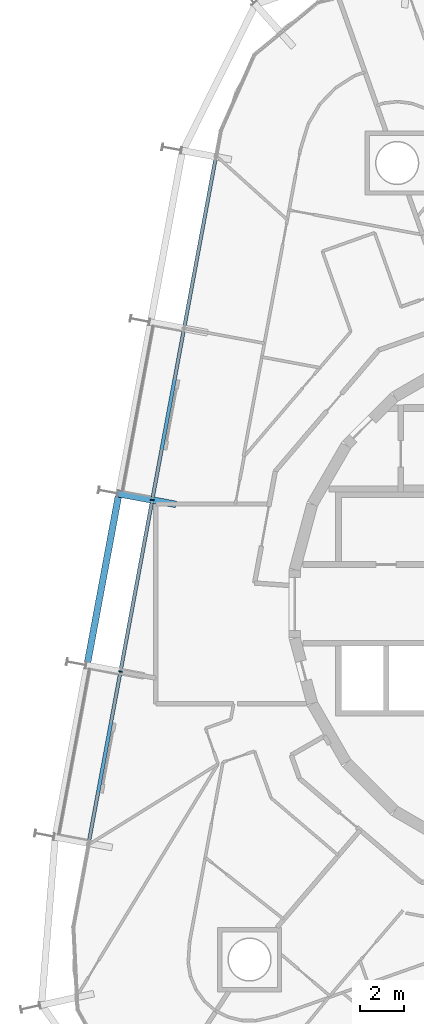
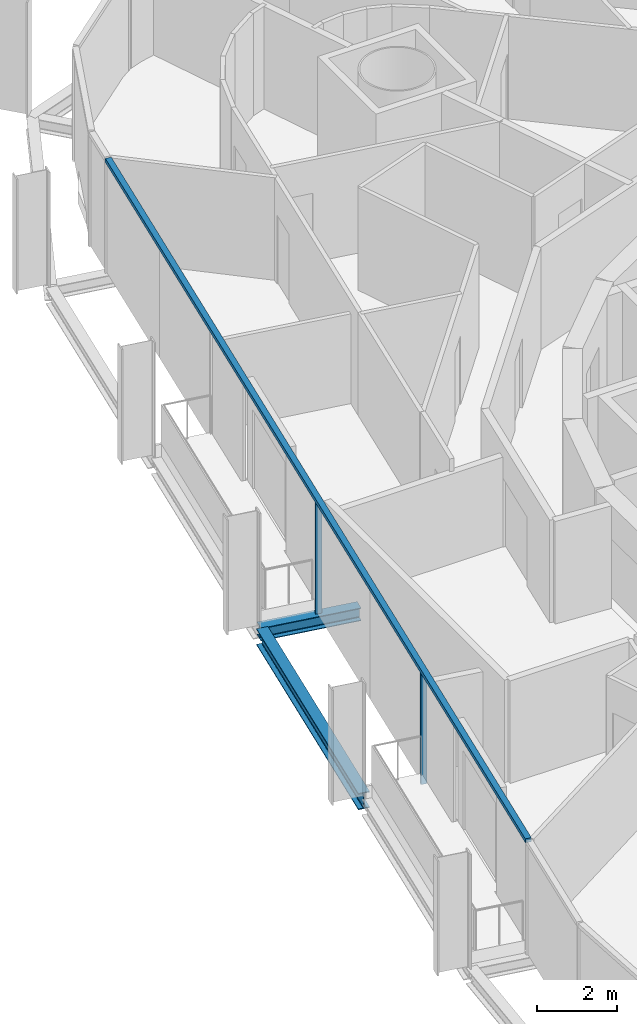
# One storey, part 4 of 17: 3 members, 2 beams, 1 element without a shape of its own.
"""IFC4 building model written with IfcOpenShell, lengths in metres."""

from ifc_helpers import new_model, si_unit, direction, frame, origin, origin_2d, place, context, subcontext, project, spatial, rectangle, i_section, extrude, material, layer, layer_set, material_profile, profile_set, type_object, element, aggregate, save


model = new_model("IFC4")

# Units and contexts
model_context = context("Model", 3, precision=1e-05, world=origin(), true_north=direction((0.0, 1.0)))
body_context = subcontext(model_context, "Body", "Model", "MODEL_VIEW")
ifc_project = project(units=[si_unit("LENGTHUNIT", "METRE"), si_unit("AREAUNIT", "SQUARE_METRE"), si_unit("VOLUMEUNIT", "CUBIC_METRE"), si_unit("PLANEANGLEUNIT", "RADIAN"), si_unit("MASSUNIT", "GRAM", prefix="KILO")], contexts=[model_context])

# Site, building, storey
site_placement = place(None, origin())
site = spatial("IfcSite", under=ifc_project, at=site_placement, CompositionType="ELEMENT")
building_placement = place(site_placement, origin())
building = spatial("IfcBuilding", under=site, at=building_placement, Name="Spindle Arch Residences", CompositionType="ELEMENT")
storey_placement = place(building_placement, frame((0.0, 0.0, 169.199951171875)))
storey = spatial("IfcBuildingStorey", under=building, at=storey_placement, Name="L42", CompositionType="ELEMENT", Elevation=169.199951171875)

# Curtain wall, members
ifc_material_1 = material(Name="Aluminium bronze unitised frame with tinted glass", Category="aluminium")
ifc_layer = layer(ifc_material_1, 0.159912109375)
ifc_layer_set = layer_set([ifc_layer], Name="CW-C typical residential unitised wall")
curtain_wall_type = type_object("IfcCurtainWallType", Name="CW-C typical residential unitised wall", PredefinedType="NOTDEFINED", material=ifc_layer_set)
curtain_wall_placement = place(storey_placement, origin())
curtain_wall = element("IfcCurtainWall", 1, at=curtain_wall_placement, inside=storey, type_object=curtain_wall_type, Name="CW-C L42 run 4", PredefinedType="NOTDEFINED")
ifc_material_2 = material(Name="Aluminium bronze anodised mullion", Category="aluminium")
ifc_material_profile_1 = material_profile(ifc_material_2, rectangle(XDim=0.159912109375, YDim=0.06005859375, at=origin_2d()), Name="MU 60x160")
ifc_profile_set_1 = profile_set([ifc_material_profile_1], Name="Aluminium bronze anodised mullion")
member_type_1 = type_object("IfcMemberType", Name="Bronze mullion 60x160", PredefinedType="MULLION", material=ifc_profile_set_1)
member_1_placement = place(storey_placement, frame((-18.0625, 4.679931640625, -0.3798828125), z_axis=(0.0, 0.0, 1.0), x_axis=(0.983254907564, -0.182235525492, 0.0)))
member_1 = element("IfcMember", 2, at=member_1_placement, type_object=member_type_1, Name="CW-C mullion 14", PredefinedType="MULLION", context=body_context, shape_type="SweptSolid", body=[
    extrude(rectangle(XDim=0.159912109375, YDim=0.06005859375, at=origin_2d()), origin(), (0.0, 0.0, 1.0), 3.3798828125),
])
member_2_placement = place(storey_placement, frame((-19.494873046875, -3.04833984375, -0.3798828125), z_axis=(0.0, 0.0, 1.0), x_axis=(0.983254907564, -0.182235525492, 0.0)))
member_2 = element("IfcMember", 3, at=member_2_placement, type_object=member_type_1, Name="CW-C mullion 15", PredefinedType="MULLION", context=body_context, shape_type="SweptSolid", body=[
    extrude(rectangle(XDim=0.159912109375, YDim=0.06005859375, at=origin_2d()), origin(), (0.0, 0.0, 1.0), 3.3798828125),
])
ifc_material_3 = material(Name="Aluminium bronze anodised transom", Category="aluminium")
ifc_material_profile_2 = material_profile(ifc_material_3, rectangle(XDim=0.159912109375, YDim=0.1201171875, at=origin_2d()), Name="TR 120x160")
ifc_profile_set_2 = profile_set([ifc_material_profile_2], Name="Aluminium bronze anodised transom")
member_type_2 = type_object("IfcMemberType", Name="Bronze transom 120x160", PredefinedType="USERDEFINED", material=ifc_profile_set_2)
member_3_placement = place(storey_placement, frame((-15.203125, 20.107421875, 3.06005859375), z_axis=(-0.182240536166, -0.983253978877, 0.0), x_axis=(0.983253978877, -0.182240536166, 0.0)))
member_3 = element("IfcMember", 4, at=member_3_placement, type_object=member_type_2, Name="CW-C transom 00", ObjectType="TRANSOM", PredefinedType="USERDEFINED", context=body_context, shape_type="SweptSolid", body=[
    extrude(rectangle(XDim=0.159912109375, YDim=0.1201171875, at=origin_2d()), origin(), (0.0, 0.0, 1.0), 31.380126953125),
])
aggregate(curtain_wall, [member_3, member_1, member_2])

# Beams
ifc_material_4 = material(Name="Steel S460ML, intumescent coating R 120", Category="steel")
ifc_material_profile_3 = material_profile(ifc_material_4, i_section(OverallWidth=0.300048828125, OverallDepth=0.5, WebThickness=0.014404296875, FlangeThickness=0.028076171875, FilletRadius=0.027099609375, at=origin_2d()), Name="HEB 500")
ifc_profile_set_3 = profile_set([ifc_material_profile_3], Name="Steel S460ML, intumescent coating R 120")
beam_type_1 = type_object("IfcBeamType", Name="Exoskeleton edge beam HEB 500", PredefinedType="BEAM", material=ifc_profile_set_3)
beam_1_placement = place(storey_placement, frame((-19.590576171875, 4.8310546875, -0.6298828125), z_axis=(-0.182234195466, -0.983255154069, 0.0), x_axis=(0.983255154069, -0.182234195466, 0.0)))
element("IfcBeam", 5, at=beam_1_placement, inside=storey, type_object=beam_type_1, Name="Exoskeleton edge beam 15", PredefinedType="BEAM", context=body_context, shape_type="SweptSolid", body=[
    extrude(i_section(OverallWidth=0.300048828125, OverallDepth=0.5, WebThickness=0.014404296875, FlangeThickness=0.028076171875, FilletRadius=0.027099609375, at=origin_2d()), origin(), (0.0, 0.0, 1.0), 7.60009765625),
])
ifc_material_5 = material(Name="Steel S460ML, intumescent coating R 120", Category="steel")
ifc_material_profile_4 = material_profile(ifc_material_5, i_section(OverallWidth=0.300048828125, OverallDepth=0.389892578125, WebThickness=0.010986328125, FlangeThickness=0.01904296875, FilletRadius=0.027099609375, at=origin_2d()), Name="HEA 400")
ifc_profile_set_4 = profile_set([ifc_material_profile_4], Name="Steel S460ML, intumescent coating R 120")
beam_type_2 = type_object("IfcBeamType", Name="Floor outrigger HEA 400", PredefinedType="BEAM", material=ifc_profile_set_4)
beam_2_placement = place(storey_placement, frame((-19.606201171875, 4.966064453125, -0.574951171875), z_axis=(0.98325694826, -0.182224514537, 0.0), x_axis=(0.182224514537, 0.98325694826, 0.0)))
element("IfcBeam", 6, at=beam_2_placement, inside=storey, type_object=beam_type_2, Name="Floor outrigger 15", PredefinedType="BEAM", context=body_context, shape_type="SweptSolid", body=[
    extrude(i_section(OverallWidth=0.300048828125, OverallDepth=0.389892578125, WebThickness=0.010986328125, FlangeThickness=0.01904296875, FilletRadius=0.027099609375, at=origin_2d()), origin(), (0.0, 0.0, 1.0), 2.650146484375),
])

save(model, "model.ifc")
